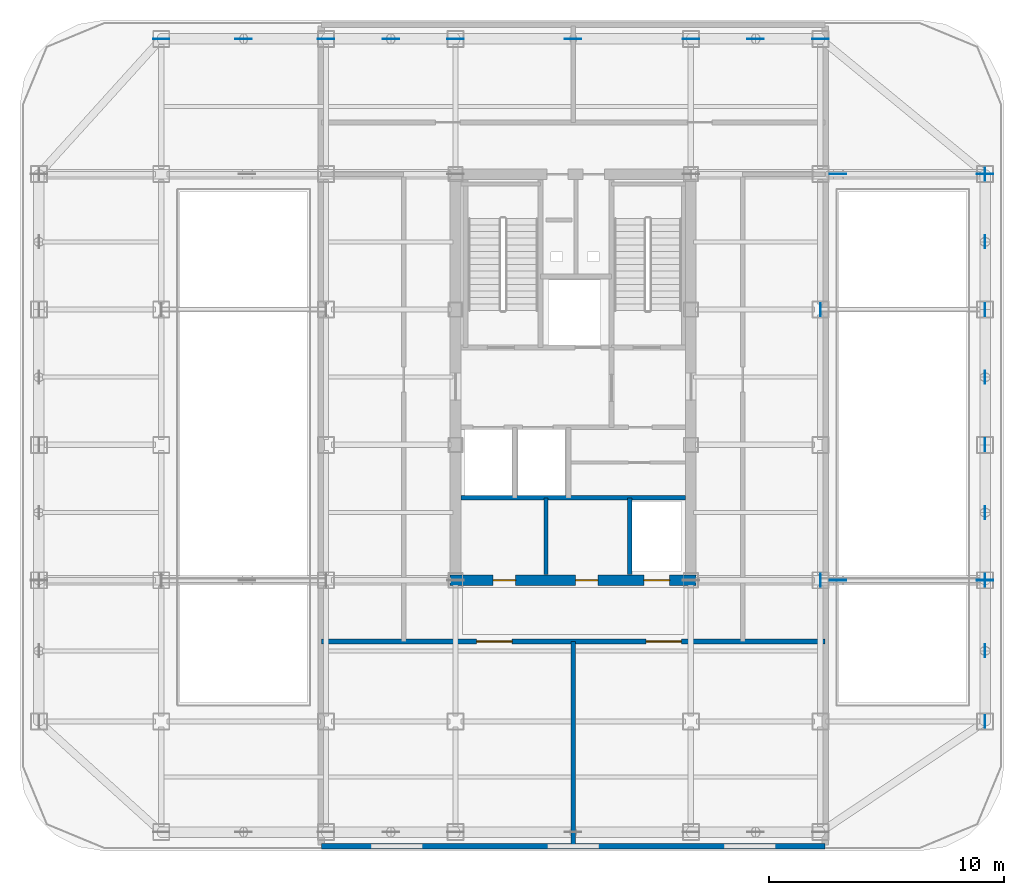
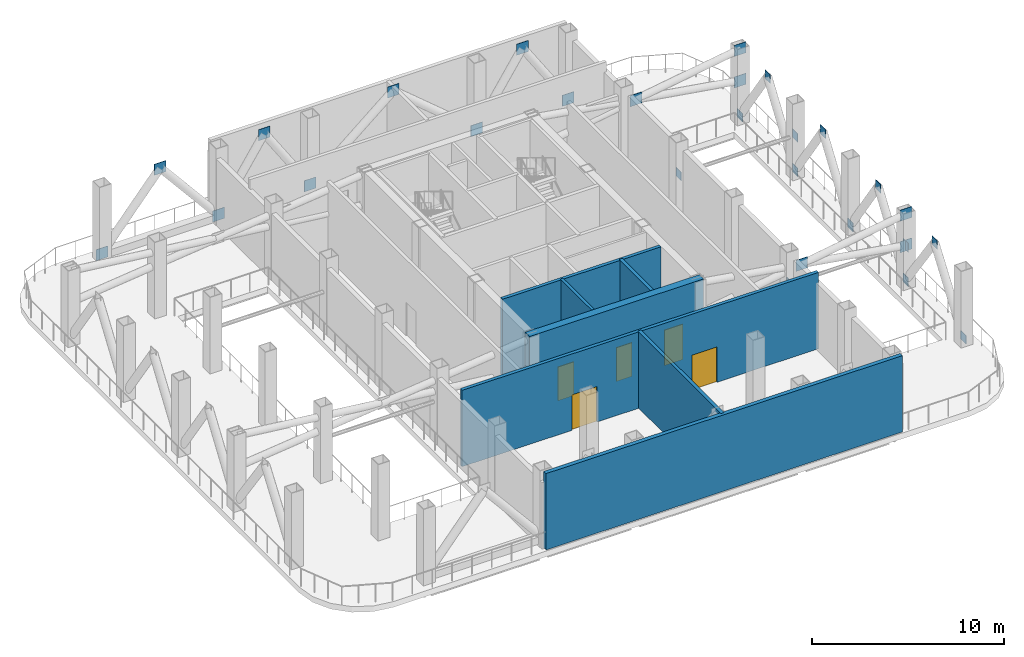
# One storey, part 5 of 10: 28 plates, 7 walls, 5 doors, 5 openings.
"""IFC4 building model written with IfcOpenShell, lengths in metres."""

from ifc_helpers import new_model, si_unit, direction, frame, frame_2d, origin, origin_2d, place, context, subcontext, project, spatial, rectangle, extrude, source, transform, mapped, material, layer, layer_set, type_object, element, fill, save


model = new_model("IFC4")

# Units and contexts
model_context = context("Model", 3, precision=1e-05, world=origin(), true_north=direction((0.0, 1.0)))
body_context = subcontext(model_context, "Body", "Model", "MODEL_VIEW")
ifc_project = project(units=[si_unit("LENGTHUNIT", "METRE"), si_unit("AREAUNIT", "SQUARE_METRE"), si_unit("VOLUMEUNIT", "CUBIC_METRE"), si_unit("PLANEANGLEUNIT", "RADIAN"), si_unit("MASSUNIT", "GRAM", prefix="KILO")], contexts=[model_context])

# Site, building, storey
site_placement = place(None, origin())
site = spatial("IfcSite", under=ifc_project, at=site_placement, CompositionType="ELEMENT")
building_placement = place(site_placement, origin())
building = spatial("IfcBuilding", under=site, at=building_placement, Name="Kolveth Station Tower", CompositionType="ELEMENT")
storey_placement = place(building_placement, frame((0.0, 0.0, 188.10009765625)))
storey = spatial("IfcBuildingStorey", under=building, at=storey_placement, Name="L53", CompositionType="ELEMENT", Elevation=188.10009765625)

# Plates
ifc_material_1 = material(Name="Steel S355", Category="steel")
ifc_layer_1 = layer(ifc_material_1, 0.02490234375)
ifc_layer_set_1 = layer_set([ifc_layer_1], Name="Steel S355")
plate_type_1 = type_object("IfcPlateType", Name="Plate_GP2", PredefinedType="USERDEFINED", material=ifc_layer_set_1)
shared_shape_1 = source(origin(), body_context, "Body", "SweptSolid", [
    extrude(rectangle(XDim=0.699951171875, YDim=0.02490234375, at=origin_2d()), origin(), (0.0, 0.0, 1.0), 0.699951171875),
])
for number, where, z_axis, x_axis, name in (
    (1, (6.0, 34.5, 0.0), (0.0, 0.0, 1.0), (1.0, 0.0, 0.0), "L53 Belt Truss Base Gusset N1"),
    (2, (13.0, 34.5, 0.0), (0.0, 0.0, 1.0), (1.0, 0.0, 0.0), "L53 Belt Truss Base Gusset N2"),
    (3, (18.5, 34.5, 0.0), (0.0, 0.0, 1.0), (1.0, 0.0, 0.0), "L53 Belt Truss Base Gusset N3"),
    (4, (28.5, 34.5, 0.0), (0.0, 0.0, 1.0), (1.0, 0.0, 0.0), "L53 Belt Truss Base Gusset N4"),
    (5, (34.0, 34.5, 0.0), (0.0, 0.0, 1.0), (1.0, 0.0, 0.0), "L53 Belt Truss Base Gusset N5"),
    (6, (9.5, 34.5, 4.19970703125), (0.0, 0.0, 1.0), (1.0, 0.0, 0.0), "L53 Belt Truss Node Gusset N1"),
    (7, (15.75, 34.5, 4.19970703125), (0.0, 0.0, 1.0), (1.0, 0.0, 0.0), "L53 Belt Truss Node Gusset N2"),
    (8, (23.5, 34.5, 4.19970703125), (0.0, 0.0, 1.0), (1.0, 0.0, 0.0), "L53 Belt Truss Node Gusset N3"),
    (9, (31.25, 34.5, 4.19970703125), (0.0, 0.0, 1.0), (1.0, 0.0, 0.0), "L53 Belt Truss Node Gusset N4"),
    (10, (34.75, 11.5, 3.19970703125), (0.0, 0.0, 1.0), (1.0, 0.0, 0.0), "L53 Outrigger X-Crossing Gusset 2"),
    (11, (41.0, 11.5, 4.19970703125), (0.0, 0.0, 1.0), (1.0, 0.0, 0.0), "L53 Outrigger End Gusset 2.2"),
    (12, (41.0, 11.5, 2.19970703125), (0.0, 0.0, 1.0), (1.0, 0.0, 0.0), "L53 Outrigger End Gusset 2.3"),
    (13, (34.75, 28.75, 3.19970703125), (0.0, 0.0, 1.0), (1.0, 0.0, 0.0), "L53 Outrigger X-Crossing Gusset 4"),
    (14, (41.0, 28.75, 4.19970703125), (0.0, 0.0, 1.0), (1.0, 0.0, 0.0), "L53 Outrigger End Gusset 4.2"),
    (15, (41.0, 28.75, 2.19970703125), (0.0, 0.0, 1.0), (1.0, 0.0, 0.0), "L53 Outrigger End Gusset 4.3"),
):
    element("IfcPlate", number, at=place(storey_placement, frame(where, z_axis=z_axis, x_axis=x_axis)), inside=storey, type_object=plate_type_1, Name=name, ObjectType="GUSSET_PLATE", PredefinedType="USERDEFINED", context=body_context, shape_type="MappedRepresentation", body=[
        mapped(shared_shape_1, transform((0.0, 0.0, 0.0), x_axis=(1.0, 0.0, 0.0), y_axis=(0.0, 1.0, 0.0), z_axis=(0.0, 0.0, 1.0), scale=1.0)),
    ])
ifc_layer_2 = layer(ifc_material_1, 0.028076171875)
ifc_layer_set_2 = layer_set([ifc_layer_2], Name="Steel S355")
plate_type_2 = type_object("IfcPlateType", Name="Plate_CP1", PredefinedType="USERDEFINED", material=ifc_layer_set_2)
shared_shape_2 = source(origin(), body_context, "Body", "SweptSolid", [
    extrude(rectangle(XDim=0.028076171875, YDim=0.550048828125, at=origin_2d()), origin(), (0.0, 0.0, 1.0), 0.550048828125),
])
for number, where, z_axis, x_axis, name in (
    (16, (41.0, 5.5, 0.07470703125), (0.0, 0.0, 1.0), (1.0, 0.0, 0.0), "L53 Belt Truss Base Plate E1"),
    (17, (41.0, 11.5, 0.07470703125), (0.0, 0.0, 1.0), (1.0, 0.0, 0.0), "L53 Belt Truss Base Plate E2"),
    (18, (41.0, 17.25, 0.07470703125), (0.0, 0.0, 1.0), (1.0, 0.0, 0.0), "L53 Belt Truss Base Plate E3"),
    (19, (41.0, 23.0, 0.07470703125), (0.0, 0.0, 1.0), (1.0, 0.0, 0.0), "L53 Belt Truss Base Plate E4"),
    (20, (41.0, 28.75, 0.07470703125), (0.0, 0.0, 1.0), (1.0, 0.0, 0.0), "L53 Belt Truss Base Plate E5"),
    (21, (41.0, 8.5, 4.27490234375), (0.0, 0.0, 1.0), (1.0, 0.0, 0.0), "L53 Belt Truss Cap Plate E1"),
    (22, (41.0, 14.375, 4.27490234375), (0.0, 0.0, 1.0), (1.0, 0.0, 0.0), "L53 Belt Truss Cap Plate E2"),
    (23, (41.0, 20.125, 4.27490234375), (0.0, 0.0, 1.0), (1.0, 0.0, 0.0), "L53 Belt Truss Cap Plate E3"),
    (24, (41.0, 25.875, 4.27490234375), (0.0, 0.0, 1.0), (1.0, 0.0, 0.0), "L53 Belt Truss Cap Plate E4"),
    (25, (34.0, 11.5, 2.27490234375), (0.0, 0.0, 1.0), (1.0, 0.0, 0.0), "L53 Turbine Strut End Plate 2.1.1"),
    (26, (41.0, 11.5, 2.27490234375), (0.0, 0.0, 1.0), (1.0, 0.0, 0.0), "L53 Turbine Strut End Plate 2.1.2"),
    (27, (34.0, 23.0, 2.27490234375), (0.0, 0.0, 1.0), (1.0, 0.0, 0.0), "L53 Turbine Strut End Plate 2.2.1"),
    (28, (41.0, 23.0, 2.27490234375), (0.0, 0.0, 1.0), (1.0, 0.0, 0.0), "L53 Turbine Strut End Plate 2.2.2"),
):
    element("IfcPlate", number, at=place(storey_placement, frame(where, z_axis=z_axis, x_axis=x_axis)), inside=storey, type_object=plate_type_2, Name=name, ObjectType="GUSSET_PLATE", PredefinedType="USERDEFINED", context=body_context, shape_type="MappedRepresentation", body=[
        mapped(shared_shape_2, transform((0.0, 0.0, 0.0), x_axis=(1.0, 0.0, 0.0), y_axis=(0.0, 1.0, 0.0), z_axis=(0.0, 0.0, 1.0), scale=1.0)),
    ])

# Wall, openings, doors
ifc_material_2 = material(Name="Concrete C50/60", Category="concrete")
ifc_layer_3 = layer(ifc_material_2, 0.449951171875)
ifc_layer_set_3 = layer_set([ifc_layer_3], Name="Concrete C50/60")
wall_type_1 = type_object("IfcWallType", Name="Wall_CW-450", PredefinedType="SHEAR", material=ifc_layer_set_3)
wall_1_placement = place(storey_placement, frame((18.27490234375, 11.5, 0.0), z_axis=(0.0, 0.0, 1.0), x_axis=(1.0, 0.0, 0.0)))
wall_1 = element("IfcWall", 29, at=wall_1_placement, inside=storey, type_object=wall_type_1, Name="L53 Core RC Shear Wall S", PredefinedType="SHEAR", context=body_context, shape_type="SweptSolid", body=[
    extrude(rectangle(XDim=10.4501953125, YDim=0.449951171875, at=frame_2d((5.22509765625, 0.0))), origin(), (0.0, 0.0, 1.0), 4.849853515625),
])
opening_1_placement = place(wall_1_placement, frame((1.824951171875, 0.0, 0.0)))
opening_1 = element("IfcOpeningElement", 30, at=opening_1_placement, cuts=wall_1, Name="Opening ID1", PredefinedType="OPENING", context=body_context, shape_type="SweptSolid", body=[
    extrude(rectangle(XDim=0.949951171875, YDim=2.14990234375, at=frame_2d((0.47509765625, 1.074951171875))), frame((0.0, 0.23486328125, 0.0), z_axis=(0.0, -1.0, 0.0), x_axis=(1.0, 0.0, 0.0)), (0.0, 0.0, 1.0), 0.469970703125),
])
opening_2_placement = place(wall_1_placement, frame((5.324951171875, 0.0, 0.0)))
opening_2 = element("IfcOpeningElement", 31, at=opening_2_placement, cuts=wall_1, Name="Opening ID1", PredefinedType="OPENING", context=body_context, shape_type="SweptSolid", body=[
    extrude(rectangle(XDim=0.949951171875, YDim=2.14990234375, at=frame_2d((0.47509765625, 1.074951171875))), frame((0.0, 0.23486328125, 0.0), z_axis=(0.0, -1.0, 0.0), x_axis=(1.0, 0.0, 0.0)), (0.0, 0.0, 1.0), 0.469970703125),
])
opening_3_placement = place(wall_1_placement, frame((8.22509765625, 0.0, 0.0)))
opening_3 = element("IfcOpeningElement", 32, at=opening_3_placement, cuts=wall_1, Name="Opening LD1", PredefinedType="OPENING", context=body_context, shape_type="SweptSolid", body=[
    extrude(rectangle(XDim=1.10009765625, YDim=2.25, at=frame_2d((0.550048828125, 1.125))), frame((0.0, 0.23486328125, 0.0), z_axis=(0.0, -1.0, 0.0), x_axis=(1.0, 0.0, 0.0)), (0.0, 0.0, 1.0), 0.469970703125),
])
ifc_material_3 = material(Name="Acoustic hardwood leaf and aluminium frame", Category="wood")
door_type_1 = type_object("IfcDoorType", Name="Door_ID1", OperationType="NOTDEFINED", PredefinedType="DOOR", material=ifc_material_3)
door_1_placement = place(opening_1_placement, frame((0.949951171875, 0.0, 0.0), z_axis=(0.0, 0.0, 1.0), x_axis=(-1.0, 0.0, 0.0)))
door_1 = element("IfcDoor", 33, at=door_1_placement, inside=storey, type_object=door_type_1, Name="L53 Laundry Room Door", OperationType="SINGLE_SWING_LEFT", OverallHeight=2.14990234375, OverallWidth=0.949951171875, PredefinedType="DOOR", context=body_context, shape_type="SweptSolid", body=[
    extrude(rectangle(XDim=0.949951171875, YDim=2.14990234375, at=frame_2d((0.47509765625, 1.074951171875))), frame((0.0, 0.02490234375, 0.0), z_axis=(0.0, -1.0, 0.0), x_axis=(1.0, 0.0, 0.0)), (0.0, 0.0, 1.0), 0.050048828125),
])
fill(opening_1, door_1)
door_2_placement = place(opening_2_placement, frame((0.949951171875, 0.0, 0.0), z_axis=(0.0, 0.0, 1.0), x_axis=(-1.0, 0.0, 0.0)))
door_2 = element("IfcDoor", 34, at=door_2_placement, inside=storey, type_object=door_type_1, Name="L53 Parcel Room Door", OperationType="SINGLE_SWING_LEFT", OverallHeight=2.14990234375, OverallWidth=0.949951171875, PredefinedType="DOOR", context=body_context, shape_type="SweptSolid", body=[
    extrude(rectangle(XDim=0.949951171875, YDim=2.14990234375, at=frame_2d((0.47509765625, 1.074951171875))), frame((0.0, 0.02490234375, 0.0), z_axis=(0.0, -1.0, 0.0), x_axis=(1.0, 0.0, 0.0)), (0.0, 0.0, 1.0), 0.050048828125),
])
fill(opening_2, door_2)
ifc_material_4 = material(Name="Brushed stainless steel sliding landing doors", Category="steel")
door_type_2 = type_object("IfcDoorType", Name="Door_LD1", OperationType="NOTDEFINED", PredefinedType="DOOR", material=ifc_material_4)
door_3_placement = place(opening_3_placement, frame((1.10009765625, 0.0, 0.0), z_axis=(0.0, 0.0, 1.0), x_axis=(-1.0, 0.0, 0.0)))
door_3 = element("IfcDoor", 35, at=door_3_placement, inside=storey, type_object=door_type_2, Name="L53 Lift PH1 Landing Door", OperationType="DOUBLE_DOOR_SLIDING", OverallHeight=2.25, OverallWidth=1.10009765625, PredefinedType="DOOR", context=body_context, shape_type="SweptSolid", body=[
    extrude(rectangle(XDim=1.10009765625, YDim=2.25, at=frame_2d((0.550048828125, 1.125))), frame((0.0, 0.02490234375, 0.0), z_axis=(0.0, -1.0, 0.0), x_axis=(1.0, 0.0, 0.0)), (0.0, 0.0, 1.0), 0.050048828125),
])
fill(opening_3, door_3)

# Walls
ifc_material_5 = material(Name="Precast concrete C40/50", Category="concrete")
ifc_layer_4 = layer(ifc_material_5, 0.239990234375)
ifc_layer_set_4 = layer_set([ifc_layer_4], Name="Precast concrete C40/50")
wall_type_2 = type_object("IfcWallType", Name="Wall_EW-240", PredefinedType="SOLIDWALL", material=ifc_layer_set_4)
wall_2_placement = place(storey_placement, frame((12.800048828125, 0.199951171875, 0.0), z_axis=(0.0, 0.0, 1.0), x_axis=(1.0, 0.0, 0.0)))
element("IfcWall", 36, at=wall_2_placement, inside=storey, type_object=wall_type_2, Name="L53 Wind-Slot Plant Exterior Wall 1", PredefinedType="SOLIDWALL", context=body_context, shape_type="SweptSolid", body=[
    extrude(rectangle(XDim=21.39990234375, YDim=0.239990234375, at=frame_2d((10.699951171875, 0.0))), origin(), (0.0, 0.0, 1.0), 4.849853515625),
])
ifc_material_6 = material(Name="Acoustic double-stud gypsum partition")
ifc_layer_5 = layer(ifc_material_6, 0.1650390625)
ifc_layer_set_5 = layer_set([ifc_layer_5], Name="Acoustic double-stud gypsum partition")
wall_type_3 = type_object("IfcWallType", Name="Wall_IW-165", PredefinedType="PARTITIONING", material=ifc_layer_set_5)
wall_3_placement = place(storey_placement, frame((22.35009765625, 11.735107421875, 0.0), z_axis=(0.0, 0.0, 1.0), x_axis=(0.0, 1.0, 0.0)))
element("IfcWall", 37, at=wall_3_placement, inside=storey, type_object=wall_type_3, Name="L53 Partition Wall WL-L53-FR-M", PredefinedType="PARTITIONING", context=body_context, shape_type="SweptSolid", body=[
    extrude(rectangle(XDim=3.264892578125, YDim=0.1650390625, at=frame_2d((1.63232421875, 0.0))), origin(), (0.0, 0.0, 1.0), 4.849853515625),
])
ifc_material_7 = material(Name="Acoustic fire-rated gypsum blockwork", Category="masonry")
ifc_layer_6 = layer(ifc_material_7, 0.199951171875)
ifc_layer_set_6 = layer_set([ifc_layer_6], Name="Acoustic fire-rated gypsum blockwork")
wall_type_4 = type_object("IfcWallType", Name="Wall_IW-200", PredefinedType="PARTITIONING", material=ifc_layer_set_6)
wall_4_placement = place(storey_placement, frame((18.735107421875, 15.0, 0.0), z_axis=(0.0, 0.0, 1.0), x_axis=(1.0, 0.0, 0.0)))
element("IfcWall", 38, at=wall_4_placement, inside=storey, type_object=wall_type_4, Name="L53 Partition Wall WL-L53-BOH-S", PredefinedType="PARTITIONING", context=body_context, shape_type="SweptSolid", body=[
    extrude(rectangle(XDim=9.52978515625, YDim=0.199951171875, at=frame_2d((4.764892578125, 0.0))), origin(), (0.0, 0.0, 1.0), 4.849853515625),
])
wall_5_placement = place(storey_placement, frame((25.89990234375, 11.735107421875, 0.0), z_axis=(0.0, 0.0, 1.0), x_axis=(0.0, 1.0, 0.0)))
element("IfcWall", 39, at=wall_5_placement, inside=storey, type_object=wall_type_4, Name="L53 Partition Wall WL-L53-PMPH", PredefinedType="PARTITIONING", context=body_context, shape_type="SweptSolid", body=[
    extrude(rectangle(XDim=3.264892578125, YDim=0.199951171875, at=frame_2d((1.63232421875, 0.0))), origin(), (0.0, 0.0, 1.0), 4.849853515625),
])

# Wall, openings, doors
wall_6_placement = place(storey_placement, frame((12.800048828125, 8.89990234375, 0.0), z_axis=(0.0, 0.0, 1.0), x_axis=(1.0, 0.0, 0.0)))
wall_6 = element("IfcWall", 40, at=wall_6_placement, inside=storey, type_object=wall_type_4, Name="L53 Partition Wall WL-L53-PR-S", PredefinedType="PARTITIONING", context=body_context, shape_type="SweptSolid", body=[
    extrude(rectangle(XDim=21.39990234375, YDim=0.199951171875, at=frame_2d((10.699951171875, 0.0))), origin(), (0.0, 0.0, 1.0), 4.849853515625),
])
opening_4_placement = place(wall_6_placement, frame((6.60009765625, 0.0, 0.0)))
opening_4 = element("IfcOpeningElement", 41, at=opening_4_placement, cuts=wall_6, Name="Opening FD4", PredefinedType="OPENING", context=body_context, shape_type="SweptSolid", body=[
    extrude(rectangle(XDim=1.5, YDim=2.25, at=frame_2d((0.75, 1.125))), frame((0.0, 0.10986328125, 0.0), z_axis=(0.0, -1.0, 0.0), x_axis=(1.0, 0.0, 0.0)), (0.0, 0.0, 1.0), 0.219970703125),
])
opening_5_placement = place(wall_6_placement, frame((13.800048828125, 0.0, 0.0)))
opening_5 = element("IfcOpeningElement", 42, at=opening_5_placement, cuts=wall_6, Name="Opening FD4", PredefinedType="OPENING", context=body_context, shape_type="SweptSolid", body=[
    extrude(rectangle(XDim=1.5, YDim=2.25, at=frame_2d((0.75, 1.125))), frame((0.0, 0.10986328125, 0.0), z_axis=(0.0, -1.0, 0.0), x_axis=(1.0, 0.0, 0.0)), (0.0, 0.0, 1.0), 0.219970703125),
])
ifc_material_8 = material(Name="Fire-rated double Steel S355 leaf", Category="steel")
door_type_3 = type_object("IfcDoorType", Name="Door_FD4", OperationType="NOTDEFINED", PredefinedType="DOOR", material=ifc_material_8)
door_4_placement = place(opening_4_placement, frame((1.5, 0.0, 0.0), z_axis=(0.0, 0.0, 1.0), x_axis=(-1.0, 0.0, 0.0)))
door_4 = element("IfcDoor", 43, at=door_4_placement, inside=storey, type_object=door_type_3, Name="L53 Wind Turbine Inverter Switchgear Room Door", OperationType="SINGLE_SWING_RIGHT", OverallHeight=2.25, OverallWidth=1.5, PredefinedType="DOOR", context=body_context, shape_type="SweptSolid", body=[
    extrude(rectangle(XDim=1.5, YDim=2.25, at=frame_2d((0.75, 1.125))), frame((0.0, 0.02490234375, 0.0), z_axis=(0.0, -1.0, 0.0), x_axis=(1.0, 0.0, 0.0)), (0.0, 0.0, 1.0), 0.050048828125),
])
fill(opening_4, door_4)
door_5_placement = place(opening_5_placement, frame((1.5, 0.0, 0.0), z_axis=(0.0, 0.0, 1.0), x_axis=(-1.0, 0.0, 0.0)))
door_5 = element("IfcDoor", 44, at=door_5_placement, inside=storey, type_object=door_type_3, Name="L53 Smoke Pressurization Fan Plant Room Door", OperationType="SINGLE_SWING_LEFT", OverallHeight=2.25, OverallWidth=1.5, PredefinedType="DOOR", context=body_context, shape_type="SweptSolid", body=[
    extrude(rectangle(XDim=1.5, YDim=2.25, at=frame_2d((0.75, 1.125))), frame((0.0, 0.02490234375, 0.0), z_axis=(0.0, -1.0, 0.0), x_axis=(1.0, 0.0, 0.0)), (0.0, 0.0, 1.0), 0.050048828125),
])
fill(opening_5, door_5)

# Wall
wall_7_placement = place(storey_placement, frame((23.5, 0.25, 0.0), z_axis=(0.0, 0.0, 1.0), x_axis=(0.0, 1.0, 0.0)))
element("IfcWall", 45, at=wall_7_placement, inside=storey, type_object=wall_type_4, Name="L53 Partition Wall WL-L53-PS-P1", PredefinedType="PARTITIONING", context=body_context, shape_type="SweptSolid", body=[
    extrude(rectangle(XDim=8.64990234375, YDim=0.199951171875, at=frame_2d((4.324951171875, 0.0))), origin(), (0.0, 0.0, 1.0), 4.849853515625),
])

save(model, "model.ifc")
